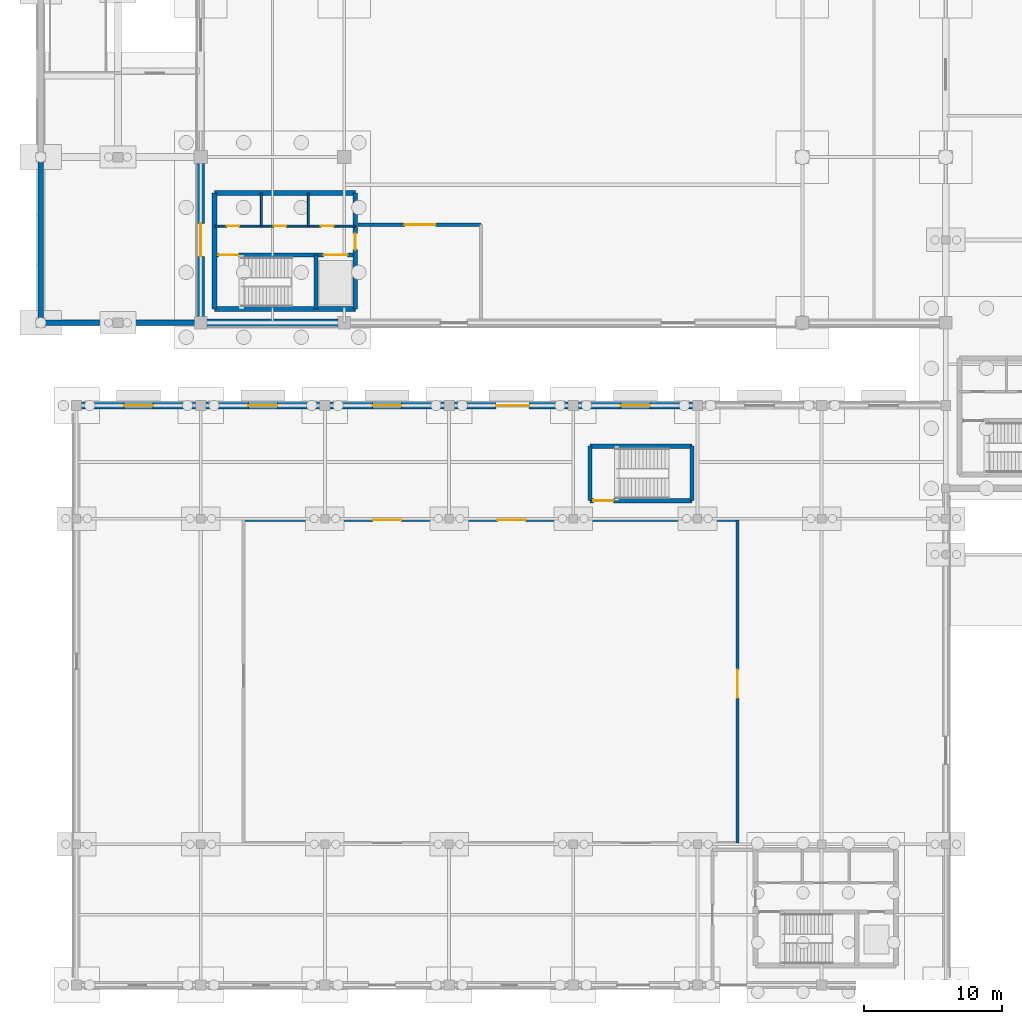
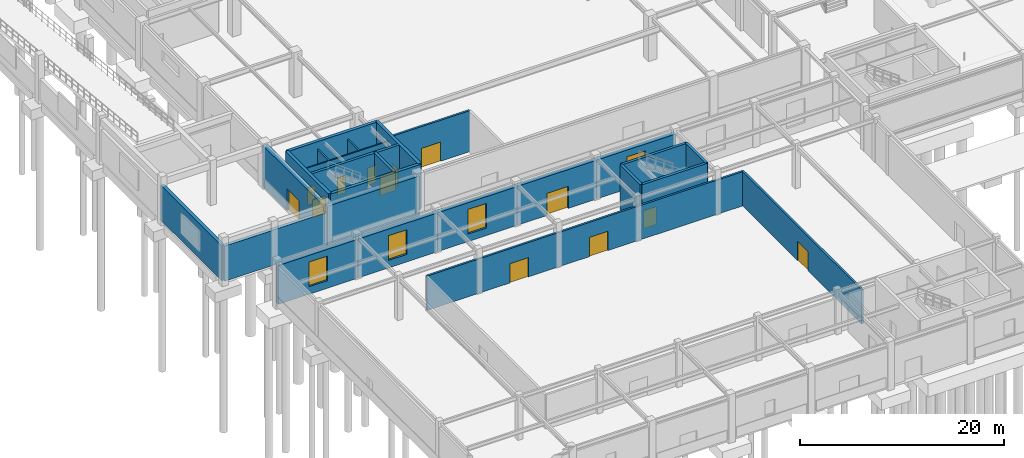
# One storey, part 24 of 53: 25 walls, 13 doors, 4 windows, 17 openings.
"""IFC4 building model written with IfcOpenShell, lengths in metres."""

from ifc_helpers import new_model, si_unit, derived_unit, direction, frame, frame_2d, origin, place, context, subcontext, project, spatial, rectangle, extrude, material, layer, layer_set, type_object, element, fill, save


model = new_model("IFC4")

# Units and contexts
model_context = context("Model", 3, precision=1e-05, world=origin(), true_north=direction((0.0, 1.0)))
body_context = subcontext(model_context, "Body", "Model", "MODEL_VIEW")
ifc_project = project(units=[si_unit("LENGTHUNIT", "METRE"), si_unit("AREAUNIT", "SQUARE_METRE"), si_unit("VOLUMEUNIT", "CUBIC_METRE"), si_unit("PLANEANGLEUNIT", "RADIAN"), si_unit("MASSUNIT", "GRAM", prefix="KILO"), derived_unit("THERMALTRANSMITTANCEUNIT", [(si_unit("POWERUNIT", "WATT"), 1), (si_unit("LENGTHUNIT", "METRE"), -2), (si_unit("THERMODYNAMICTEMPERATUREUNIT", "KELVIN"), -1)])], contexts=[model_context])

# Site, building, storey
site_placement = place(None, origin())
site = spatial("IfcSite", under=ifc_project, at=site_placement, CompositionType="ELEMENT")
building_placement = place(site_placement, origin())
building = spatial("IfcBuilding", under=site, at=building_placement, Name="Almenara Railside Exhibition Hall", CompositionType="ELEMENT")
storey_placement = place(building_placement, origin())
storey = spatial("IfcBuildingStorey", under=building, at=storey_placement, Name="L00", CompositionType="ELEMENT", Elevation=0.0)

# Walls
ifc_material_1 = material(Name="Concrete C35/45", Category="concrete")
ifc_layer_1 = layer(ifc_material_1, 0.35009765625, Name="Concrete C35/45")
ifc_layer_set_1 = layer_set([ifc_layer_1], Name="Concrete C35/45")
wall_type_1 = type_object("IfcWallType", Name="Core Coupled Shear Wall 350mm C35/45", PredefinedType="SHEAR", material=ifc_layer_set_1)
for number, where, z_axis, x_axis, name in (
    (1, (13.0, 49.0, 0.0), (0.0, 0.0, 1.0), (1.0, 0.0, 0.0), "Interior wall 0001"),
    (2, (23.199951171875, 57.39990234375, 0.0), (0.0, 0.0, 1.0), (-1.0, 0.0, 0.0), "Interior wall 0002"),
):
    element("IfcWall", number, at=place(storey_placement, frame(where, z_axis=z_axis, x_axis=x_axis)), inside=storey, type_object=wall_type_1, Name=name, PredefinedType="SHEAR", context=body_context, shape_type="SweptSolid", body=[
        extrude(rectangle(XDim=10.199951171875, YDim=0.35009765625, at=frame_2d((5.10009765625, 0.0))), origin(), (0.0, 0.0, 1.0), 5.39990234375),
    ])
wall_1_placement = place(storey_placement, frame((13.0, 57.39990234375, 0.0), z_axis=(0.0, 0.0, 1.0), x_axis=(0.0, -1.0, 0.0)))
element("IfcWall", 3, at=wall_1_placement, inside=storey, type_object=wall_type_1, Name="Interior wall 0003", PredefinedType="SHEAR", context=body_context, shape_type="SweptSolid", body=[
    extrude(rectangle(XDim=8.39990234375, YDim=0.35009765625, at=frame_2d((4.199951171875, 0.0))), origin(), (0.0, 0.0, 1.0), 5.39990234375),
])

# Wall, opening, door
wall_2_placement = place(storey_placement, frame((23.199951171875, 49.0, 0.0), z_axis=(0.0, 0.0, 1.0), x_axis=(0.0, 1.0, 0.0)))
wall_2 = element("IfcWall", 4, at=wall_2_placement, inside=storey, type_object=wall_type_1, Name="Interior wall 0004", PredefinedType="SHEAR", context=body_context, shape_type="SweptSolid", body=[
    extrude(rectangle(XDim=8.39990234375, YDim=0.35009765625, at=frame_2d((4.199951171875, 0.0))), origin(), (0.0, 0.0, 1.0), 5.39990234375),
])
opening_1_placement = place(wall_2_placement, frame((4.300048828125, 0.0, 0.0)))
opening_1 = element("IfcOpeningElement", 5, at=opening_1_placement, cuts=wall_2, Name="Opening FD-115", PredefinedType="OPENING", context=body_context, shape_type="SweptSolid", body=[
    extrude(rectangle(XDim=1.14990234375, YDim=2.14990234375, at=frame_2d((0.574951171875, 1.074951171875))), frame((0.0, 0.18505859375, 0.0), z_axis=(0.0, -1.0, 0.0), x_axis=(1.0, 0.0, 0.0)), (0.0, 0.0, 1.0), 0.3701171875),
])
ifc_material_2 = material(Name="Fire-rated iroko timber door", Category="wood")
door_type_1 = type_object("IfcDoorType", Name="Core Lobby Fire Door 1150x2150 EI60", OperationType="NOTDEFINED", PredefinedType="DOOR", material=ifc_material_2)
door_1_placement = place(opening_1_placement, frame((1.14990234375, 0.0, 0.0), z_axis=(0.0, 0.0, 1.0), x_axis=(-1.0, 0.0, 0.0)))
door_1 = element("IfcDoor", 6, at=door_1_placement, inside=storey, type_object=door_type_1, Name="Interior door FD-115-001", OperationType="SINGLE_SWING_LEFT", OverallHeight=2.14990234375, OverallWidth=1.14990234375, PredefinedType="DOOR", context=body_context, shape_type="SweptSolid", body=[
    extrude(rectangle(XDim=1.14990234375, YDim=2.14990234375, at=frame_2d((0.574951171875, 1.074951171875))), frame((0.0, 0.02490234375, 0.0), z_axis=(0.0, -1.0, 0.0), x_axis=(1.0, 0.0, 0.0)), (0.0, 0.0, 1.0), 0.050048828125),
])
fill(opening_1, door_1)

# Walls
ifc_material_3 = material(Name="Ochre-white lime-rendered masonry over Concrete C35/45", Category="masonry")
ifc_layer_2 = layer(ifc_material_3, 0.385009765625, Name="Ochre-white lime-rendered masonry over Concrete C35/45")
ifc_layer_set_2 = layer_set([ifc_layer_2], Name="Ochre-white lime-rendered masonry over Concrete C35/45")
wall_type_2 = type_object("IfcWallType", Name="Exterior Arcade Spandrel Wall 385mm C35/45", PredefinedType="SOLIDWALL", material=ifc_layer_set_2)
wall_3_placement = place(storey_placement, frame((0.39990234375, 60.0, 0.0), z_axis=(0.0, 0.0, 1.0), x_axis=(0.0, -1.0, 0.0)))
element("IfcWall", 7, at=wall_3_placement, inside=storey, type_object=wall_type_2, Name="Exterior wall 0301", PredefinedType="SOLIDWALL", context=body_context, shape_type="SweptSolid", body=[
    extrude(rectangle(XDim=12.0, YDim=0.385009765625, at=frame_2d((6.0, 0.0))), origin(), (0.0, 0.0, 1.0), 4.199951171875),
])
wall_4_placement = place(storey_placement, frame((0.39990234375, 48.0, 0.0), z_axis=(0.0, 0.0, 1.0), x_axis=(1.0, 0.0, 0.0)))
element("IfcWall", 8, at=wall_4_placement, inside=storey, type_object=wall_type_2, Name="Exterior wall 0307", PredefinedType="SOLIDWALL", context=body_context, shape_type="SweptSolid", body=[
    extrude(rectangle(XDim=11.60009765625, YDim=0.385009765625, at=frame_2d((5.800048828125, 0.0))), origin(), (0.0, 0.0, 1.0), 4.199951171875),
])

# Wall, opening, window
ifc_layer_3 = layer(ifc_material_3, 0.47998046875, Name="Ochre-white lime-rendered masonry over Concrete C35/45")
ifc_layer_set_3 = layer_set([ifc_layer_3], Name="Ochre-white lime-rendered masonry over Concrete C35/45")
wall_type_3 = type_object("IfcWallType", Name="Exterior Plenary Thermal Wall 480mm C35/45", PredefinedType="SOLIDWALL", material=ifc_layer_set_3)
wall_5_placement = place(storey_placement, frame((12.0, 42.0, 0.0), z_axis=(0.0, 0.0, 1.0), x_axis=(-1.0, 0.0, 0.0)))
wall_5 = element("IfcWall", 9, at=wall_5_placement, inside=storey, type_object=wall_type_3, Name="Exterior wall 0110", PredefinedType="SOLIDWALL", context=body_context, shape_type="SweptSolid", body=[
    extrude(rectangle(XDim=9.0, YDim=0.47998046875, at=frame_2d((4.5, 0.0))), origin(), (0.0, 0.0, 1.0), 4.64990234375),
])
opening_2_placement = place(wall_5_placement, frame((3.449951171875, 0.0, 0.89990234375)))
opening_2 = element("IfcOpeningElement", 10, at=opening_2_placement, cuts=wall_5, Name="Opening W-03", PredefinedType="OPENING", context=body_context, shape_type="SweptSolid", body=[
    extrude(rectangle(XDim=2.10009765625, YDim=2.949951171875, at=frame_2d((1.050048828125, 1.47509765625))), frame((0.0, 0.25, 0.0), z_axis=(0.0, -1.0, 0.0), x_axis=(1.0, 0.0, 0.0)), (0.0, 0.0, 1.0), 0.5),
])
ifc_material_4 = material(Name="Bronze-anodised aluminium and low-E double glazing", Category="aluminium")
window_type = type_object("IfcWindowType", Name="Arched Congress Window 2100x2950", PartitioningType="DOUBLE_PANEL_VERTICAL", PredefinedType="WINDOW", material=ifc_material_4)
window_1_placement = place(opening_2_placement, origin())
window_1 = element("IfcWindow", 11, at=window_1_placement, inside=storey, type_object=window_type, Name="Window 0020", OverallHeight=2.949951171875, OverallWidth=2.10009765625, PartitioningType="DOUBLE_PANEL_VERTICAL", PredefinedType="WINDOW", context=body_context, shape_type="SweptSolid", body=[
    extrude(rectangle(XDim=2.10009765625, YDim=2.949951171875, at=frame_2d((1.050048828125, 1.47509765625))), frame((0.0, 0.030029296875, 0.0), z_axis=(0.0, -1.0, 0.0), x_axis=(1.0, 0.0, 0.0)), (0.0, 0.0, 1.0), 0.06005859375),
])
fill(opening_2, window_1)

wall_6_placement = place(storey_placement, frame((21.0, 42.0, 0.0), z_axis=(0.0, 0.0, 1.0), x_axis=(-1.0, 0.0, 0.0)))
wall_6 = element("IfcWall", 12, at=wall_6_placement, inside=storey, type_object=wall_type_3, Name="Exterior wall 0114", PredefinedType="SOLIDWALL", context=body_context, shape_type="SweptSolid", body=[
    extrude(rectangle(XDim=9.0, YDim=0.47998046875, at=frame_2d((4.5, 0.0))), origin(), (0.0, 0.0, 1.0), 4.64990234375),
])
opening_3_placement = place(wall_6_placement, frame((3.449951171875, 0.0, 0.89990234375)))
opening_3 = element("IfcOpeningElement", 13, at=opening_3_placement, cuts=wall_6, Name="Opening W-03", PredefinedType="OPENING", context=body_context, shape_type="SweptSolid", body=[
    extrude(rectangle(XDim=2.10009765625, YDim=2.949951171875, at=frame_2d((1.050048828125, 1.47509765625))), frame((0.0, 0.25, 0.0), z_axis=(0.0, -1.0, 0.0), x_axis=(1.0, 0.0, 0.0)), (0.0, 0.0, 1.0), 0.5),
])
window_2_placement = place(opening_3_placement, origin())
window_2 = element("IfcWindow", 14, at=window_2_placement, inside=storey, type_object=window_type, Name="Window 0022", OverallHeight=2.949951171875, OverallWidth=2.10009765625, PartitioningType="DOUBLE_PANEL_VERTICAL", PredefinedType="WINDOW", context=body_context, shape_type="SweptSolid", body=[
    extrude(rectangle(XDim=2.10009765625, YDim=2.949951171875, at=frame_2d((1.050048828125, 1.47509765625))), frame((0.0, 0.030029296875, 0.0), z_axis=(0.0, -1.0, 0.0), x_axis=(1.0, 0.0, 0.0)), (0.0, 0.0, 1.0), 0.06005859375),
])
fill(opening_3, window_2)

wall_7_placement = place(storey_placement, frame((30.0, 42.0, 0.0), z_axis=(0.0, 0.0, 1.0), x_axis=(-1.0, 0.0, 0.0)))
wall_7 = element("IfcWall", 15, at=wall_7_placement, inside=storey, type_object=wall_type_3, Name="Exterior wall 0118", PredefinedType="SOLIDWALL", context=body_context, shape_type="SweptSolid", body=[
    extrude(rectangle(XDim=9.0, YDim=0.47998046875, at=frame_2d((4.5, 0.0))), origin(), (0.0, 0.0, 1.0), 4.64990234375),
])
opening_4_placement = place(wall_7_placement, frame((3.449951171875, 0.0, 0.89990234375)))
opening_4 = element("IfcOpeningElement", 16, at=opening_4_placement, cuts=wall_7, Name="Opening W-03", PredefinedType="OPENING", context=body_context, shape_type="SweptSolid", body=[
    extrude(rectangle(XDim=2.10009765625, YDim=2.949951171875, at=frame_2d((1.050048828125, 1.47509765625))), frame((0.0, 0.25, 0.0), z_axis=(0.0, -1.0, 0.0), x_axis=(1.0, 0.0, 0.0)), (0.0, 0.0, 1.0), 0.5),
])
window_3_placement = place(opening_4_placement, origin())
window_3 = element("IfcWindow", 17, at=window_3_placement, inside=storey, type_object=window_type, Name="Window 0023", OverallHeight=2.949951171875, OverallWidth=2.10009765625, PartitioningType="DOUBLE_PANEL_VERTICAL", PredefinedType="WINDOW", context=body_context, shape_type="SweptSolid", body=[
    extrude(rectangle(XDim=2.10009765625, YDim=2.949951171875, at=frame_2d((1.050048828125, 1.47509765625))), frame((0.0, 0.030029296875, 0.0), z_axis=(0.0, -1.0, 0.0), x_axis=(1.0, 0.0, 0.0)), (0.0, 0.0, 1.0), 0.06005859375),
])
fill(opening_4, window_3)

# Wall, opening, door
wall_8_placement = place(storey_placement, frame((39.0, 42.0, 0.0), z_axis=(0.0, 0.0, 1.0), x_axis=(-1.0, 0.0, 0.0)))
wall_8 = element("IfcWall", 18, at=wall_8_placement, inside=storey, type_object=wall_type_3, Name="Exterior wall 0122", PredefinedType="SOLIDWALL", context=body_context, shape_type="SweptSolid", body=[
    extrude(rectangle(XDim=9.0, YDim=0.47998046875, at=frame_2d((4.5, 0.0))), origin(), (0.0, 0.0, 1.0), 4.64990234375),
])
opening_5_placement = place(wall_8_placement, frame((3.199951171875, 0.0, 0.0)))
opening_5 = element("IfcOpeningElement", 19, at=opening_5_placement, cuts=wall_8, Name="Opening ED-17", PredefinedType="OPENING", context=body_context, shape_type="SweptSolid", body=[
    extrude(rectangle(XDim=2.39990234375, YDim=2.64990234375, at=frame_2d((1.199951171875, 1.324951171875))), frame((0.0, 0.25, 0.0), z_axis=(0.0, -1.0, 0.0), x_axis=(1.0, 0.0, 0.0)), (0.0, 0.0, 1.0), 0.5),
])
ifc_material_5 = material(Name="Bronze-anodised glazed entrance door")
door_type_2 = type_object("IfcDoorType", Name="Grand Civic Portal Double Exit Door 2400x2650", OperationType="NOTDEFINED", PredefinedType="DOOR", material=ifc_material_5)
door_2_placement = place(opening_5_placement, frame((2.39990234375, 0.0, 0.0), z_axis=(0.0, 0.0, 1.0), x_axis=(-1.0, 0.0, 0.0)))
door_2 = element("IfcDoor", 20, at=door_2_placement, inside=storey, type_object=door_type_2, Name="Exterior door ED-17", OperationType="DOUBLE_DOOR_SINGLE_SWING", OverallHeight=2.64990234375, OverallWidth=2.39990234375, PredefinedType="DOOR", context=body_context, shape_type="SweptSolid", body=[
    extrude(rectangle(XDim=2.39990234375, YDim=2.64990234375, at=frame_2d((1.199951171875, 1.324951171875))), frame((0.0, 0.02490234375, 0.0), z_axis=(0.0, -1.0, 0.0), x_axis=(1.0, 0.0, 0.0)), (0.0, 0.0, 1.0), 0.050048828125),
])
fill(opening_5, door_2)

# Wall, opening, window
wall_9_placement = place(storey_placement, frame((48.0, 42.0, 0.0), z_axis=(0.0, 0.0, 1.0), x_axis=(-1.0, 0.0, 0.0)))
wall_9 = element("IfcWall", 21, at=wall_9_placement, inside=storey, type_object=wall_type_3, Name="Exterior wall 0126", PredefinedType="SOLIDWALL", context=body_context, shape_type="SweptSolid", body=[
    extrude(rectangle(XDim=9.0, YDim=0.47998046875, at=frame_2d((4.5, 0.0))), origin(), (0.0, 0.0, 1.0), 4.64990234375),
])
opening_6_placement = place(wall_9_placement, frame((3.449951171875, 0.0, 0.89990234375)))
opening_6 = element("IfcOpeningElement", 22, at=opening_6_placement, cuts=wall_9, Name="Opening W-03", PredefinedType="OPENING", context=body_context, shape_type="SweptSolid", body=[
    extrude(rectangle(XDim=2.10009765625, YDim=2.949951171875, at=frame_2d((1.050048828125, 1.47509765625))), frame((0.0, 0.25, 0.0), z_axis=(0.0, -1.0, 0.0), x_axis=(1.0, 0.0, 0.0)), (0.0, 0.0, 1.0), 0.5),
])
window_4_placement = place(opening_6_placement, origin())
window_4 = element("IfcWindow", 23, at=window_4_placement, inside=storey, type_object=window_type, Name="Window 0025", OverallHeight=2.949951171875, OverallWidth=2.10009765625, PartitioningType="DOUBLE_PANEL_VERTICAL", PredefinedType="WINDOW", context=body_context, shape_type="SweptSolid", body=[
    extrude(rectangle(XDim=2.10009765625, YDim=2.949951171875, at=frame_2d((1.050048828125, 1.47509765625))), frame((0.0, 0.030029296875, 0.0), z_axis=(0.0, -1.0, 0.0), x_axis=(1.0, 0.0, 0.0)), (0.0, 0.0, 1.0), 0.06005859375),
])
fill(opening_6, window_4)

# Wall, opening, door
ifc_layer_4 = layer(ifc_material_3, 0.5400390625, Name="Ochre-white lime-rendered masonry over Concrete C35/45")
ifc_layer_set_4 = layer_set([ifc_layer_4], Name="Ochre-white lime-rendered masonry over Concrete C35/45")
wall_type_4 = type_object("IfcWallType", Name="Exterior West Hall Thermal Wall 540mm C35/45", PredefinedType="SOLIDWALL", material=ifc_layer_set_4)
wall_10_placement = place(storey_placement, frame((12.0, 60.0, 0.0), z_axis=(0.0, 0.0, 1.0), x_axis=(0.0, -1.0, 0.0)))
wall_10 = element("IfcWall", 24, at=wall_10_placement, inside=storey, type_object=wall_type_4, Name="Exterior wall 0023", PredefinedType="SOLIDWALL", context=body_context, shape_type="SweptSolid", body=[
    extrude(rectangle(XDim=12.0, YDim=0.5400390625, at=frame_2d((6.0, 0.0))), origin(), (0.0, 0.0, 1.0), 4.949951171875),
])
opening_7_placement = place(wall_10_placement, frame((4.800048828125, 0.0, 0.0)))
opening_7 = element("IfcOpeningElement", 25, at=opening_7_placement, cuts=wall_10, Name="Opening ED-01", PredefinedType="OPENING", context=body_context, shape_type="SweptSolid", body=[
    extrude(rectangle(XDim=2.39990234375, YDim=2.64990234375, at=frame_2d((1.199951171875, 1.324951171875))), frame((0.0, 0.280029296875, 0.0), z_axis=(0.0, -1.0, 0.0), x_axis=(1.0, 0.0, 0.0)), (0.0, 0.0, 1.0), 0.56005859375),
])
door_3_placement = place(opening_7_placement, frame((2.39990234375, 0.0, 0.0), z_axis=(0.0, 0.0, 1.0), x_axis=(-1.0, 0.0, 0.0)))
door_3 = element("IfcDoor", 26, at=door_3_placement, inside=storey, type_object=door_type_2, Name="Exterior door ED-01", OperationType="DOUBLE_DOOR_SINGLE_SWING", OverallHeight=2.64990234375, OverallWidth=2.39990234375, PredefinedType="DOOR", context=body_context, shape_type="SweptSolid", body=[
    extrude(rectangle(XDim=2.39990234375, YDim=2.64990234375, at=frame_2d((1.199951171875, 1.324951171875))), frame((0.0, 0.02490234375, 0.0), z_axis=(0.0, -1.0, 0.0), x_axis=(1.0, 0.0, 0.0)), (0.0, 0.0, 1.0), 0.050048828125),
])
fill(opening_7, door_3)

# Wall
wall_11_placement = place(storey_placement, frame((12.0, 48.0, 0.0), z_axis=(0.0, 0.0, 1.0), x_axis=(1.0, 0.0, 0.0)))
element("IfcWall", 27, at=wall_11_placement, inside=storey, type_object=wall_type_4, Name="Exterior wall 0055", PredefinedType="SOLIDWALL", context=body_context, shape_type="SweptSolid", body=[
    extrude(rectangle(XDim=10.39990234375, YDim=0.5400390625, at=frame_2d((5.199951171875, 0.0))), origin(), (0.0, 0.0, 1.0), 4.949951171875),
])

# Wall, opening, door
ifc_material_6 = material(Name="Insulated masonry over Concrete C35/45", Category="masonry")
ifc_layer_5 = layer(ifc_material_6, 0.219970703125, Name="Insulated masonry over Concrete C35/45")
ifc_layer_set_5 = layer_set([ifc_layer_5], Name="Insulated masonry over Concrete C35/45")
wall_type_5 = type_object("IfcWallType", Name="Occupancy Separating Fire Wall 220mm", PredefinedType="SOLIDWALL", material=ifc_layer_set_5)
wall_12_placement = place(storey_placement, frame((23.39990234375, 55.10009765625, 0.0), z_axis=(0.0, 0.0, 1.0), x_axis=(1.0, 0.0, 0.0)))
wall_12 = element("IfcWall", 28, at=wall_12_placement, inside=storey, type_object=wall_type_5, Name="Interior wall 0265", PredefinedType="SOLIDWALL", context=body_context, shape_type="SweptSolid", body=[
    extrude(rectangle(XDim=8.900146484375, YDim=0.219970703125, at=frame_2d((4.4501953125, 0.0))), origin(), (0.0, 0.0, 1.0), 4.89990234375),
])
opening_8_placement = place(wall_12_placement, frame((3.39990234375, 0.0, 0.0)))
opening_8 = element("IfcOpeningElement", 29, at=opening_8_placement, cuts=wall_12, Name="Opening FD-22", PredefinedType="OPENING", context=body_context, shape_type="SweptSolid", body=[
    extrude(rectangle(XDim=2.199951171875, YDim=2.300048828125, at=frame_2d((1.10009765625, 1.14990234375))), frame((0.0, 0.119873046875, 0.0), z_axis=(0.0, -1.0, 0.0), x_axis=(1.0, 0.0, 0.0)), (0.0, 0.0, 1.0), 0.239990234375),
])
ifc_material_7 = material(Name="Steel-framed fire-rated timber door", Category="steel")
door_type_3 = type_object("IfcDoorType", Name="Hall Escape Stair Double Door 2200x2300 EI60", OperationType="NOTDEFINED", PredefinedType="DOOR", material=ifc_material_7)
door_4_placement = place(opening_8_placement, frame((2.199951171875, 0.0, 0.0), z_axis=(0.0, 0.0, 1.0), x_axis=(-1.0, 0.0, 0.0)))
door_4 = element("IfcDoor", 30, at=door_4_placement, inside=storey, type_object=door_type_3, Name="Interior door FD-22-178", OperationType="DOUBLE_DOOR_SINGLE_SWING", OverallHeight=2.300048828125, OverallWidth=2.199951171875, PredefinedType="DOOR", context=body_context, shape_type="SweptSolid", body=[
    extrude(rectangle(XDim=2.199951171875, YDim=2.300048828125, at=frame_2d((1.10009765625, 1.14990234375))), frame((0.0, 0.02490234375, 0.0), z_axis=(0.0, -1.0, 0.0), x_axis=(1.0, 0.0, 0.0)), (0.0, 0.0, 1.0), 0.050048828125),
])
fill(opening_8, door_4)

# Wall, openings, doors
wall_13_placement = place(storey_placement, frame((50.89990234375, 33.699951171875, 0.0), z_axis=(0.0, 0.0, 1.0), x_axis=(-1.0, 0.0, 0.0)))
wall_13 = element("IfcWall", 31, at=wall_13_placement, inside=storey, type_object=wall_type_5, Name="Interior wall 0367", PredefinedType="SOLIDWALL", context=body_context, shape_type="SweptSolid", body=[
    extrude(rectangle(XDim=35.7998046875, YDim=0.219970703125, at=frame_2d((17.89990234375, 0.0))), origin(), (0.0, 0.0, 1.0), 4.10009765625),
])
opening_9_placement = place(wall_13_placement, frame((15.35009765625, 0.0, 0.0)))
opening_9 = element("IfcOpeningElement", 32, at=opening_9_placement, cuts=wall_13, Name="Opening ID-205", PredefinedType="OPENING", context=body_context, shape_type="SweptSolid", body=[
    extrude(rectangle(XDim=2.050048828125, YDim=2.300048828125, at=frame_2d((1.02490234375, 1.14990234375))), frame((0.0, 0.119873046875, 0.0), z_axis=(0.0, -1.0, 0.0), x_axis=(1.0, 0.0, 0.0)), (0.0, 0.0, 1.0), 0.239990234375),
])
opening_10_placement = place(wall_13_placement, frame((24.35009765625, 0.0, 0.0)))
opening_10 = element("IfcOpeningElement", 33, at=opening_10_placement, cuts=wall_13, Name="Opening ID-205", PredefinedType="OPENING", context=body_context, shape_type="SweptSolid", body=[
    extrude(rectangle(XDim=2.050048828125, YDim=2.300048828125, at=frame_2d((1.02490234375, 1.14990234375))), frame((0.0, 0.119873046875, 0.0), z_axis=(0.0, -1.0, 0.0), x_axis=(1.0, 0.0, 0.0)), (0.0, 0.0, 1.0), 0.239990234375),
])
ifc_material_8 = material(Name="Acoustic iroko hardwood double door", Category="wood")
door_type_4 = type_object("IfcDoorType", Name="Congress Auditorium Acoustic Double Door 2050x2300", OperationType="NOTDEFINED", PredefinedType="DOOR", material=ifc_material_8)
door_5_placement = place(opening_9_placement, origin())
door_5 = element("IfcDoor", 34, at=door_5_placement, inside=storey, type_object=door_type_4, Name="Interior door ID-205-223", OperationType="DOUBLE_DOOR_SINGLE_SWING", OverallHeight=2.300048828125, OverallWidth=2.050048828125, PredefinedType="DOOR", context=body_context, shape_type="SweptSolid", body=[
    extrude(rectangle(XDim=2.050048828125, YDim=2.300048828125, at=frame_2d((1.02490234375, 1.14990234375))), frame((0.0, 0.02490234375, 0.0), z_axis=(0.0, -1.0, 0.0), x_axis=(1.0, 0.0, 0.0)), (0.0, 0.0, 1.0), 0.050048828125),
])
fill(opening_9, door_5)
door_6_placement = place(opening_10_placement, origin())
door_6 = element("IfcDoor", 35, at=door_6_placement, inside=storey, type_object=door_type_4, Name="Interior door ID-205-224", OperationType="DOUBLE_DOOR_SINGLE_SWING", OverallHeight=2.300048828125, OverallWidth=2.050048828125, PredefinedType="DOOR", context=body_context, shape_type="SweptSolid", body=[
    extrude(rectangle(XDim=2.050048828125, YDim=2.300048828125, at=frame_2d((1.02490234375, 1.14990234375))), frame((0.0, 0.02490234375, 0.0), z_axis=(0.0, -1.0, 0.0), x_axis=(1.0, 0.0, 0.0)), (0.0, 0.0, 1.0), 0.050048828125),
])
fill(opening_10, door_6)

# Wall, opening, door
wall_14_placement = place(storey_placement, frame((50.89990234375, 10.300048828125, 0.0), z_axis=(0.0, 0.0, 1.0), x_axis=(0.0, 1.0, 0.0)))
wall_14 = element("IfcWall", 36, at=wall_14_placement, inside=storey, type_object=wall_type_5, Name="Interior wall 0368", PredefinedType="SOLIDWALL", context=body_context, shape_type="SweptSolid", body=[
    extrude(rectangle(XDim=23.39990234375, YDim=0.219970703125, at=frame_2d((11.699951171875, 0.0))), origin(), (0.0, 0.0, 1.0), 4.10009765625),
])
opening_11_placement = place(wall_14_placement, frame((10.5, 0.0, 0.0)))
opening_11 = element("IfcOpeningElement", 37, at=opening_11_placement, cuts=wall_14, Name="Opening ID-205", PredefinedType="OPENING", context=body_context, shape_type="SweptSolid", body=[
    extrude(rectangle(XDim=2.050048828125, YDim=2.300048828125, at=frame_2d((1.02490234375, 1.14990234375))), frame((0.0, 0.119873046875, 0.0), z_axis=(0.0, -1.0, 0.0), x_axis=(1.0, 0.0, 0.0)), (0.0, 0.0, 1.0), 0.239990234375),
])
door_7_placement = place(opening_11_placement, origin())
door_7 = element("IfcDoor", 38, at=door_7_placement, inside=storey, type_object=door_type_4, Name="Interior door ID-205-225", OperationType="DOUBLE_DOOR_SINGLE_SWING", OverallHeight=2.300048828125, OverallWidth=2.050048828125, PredefinedType="DOOR", context=body_context, shape_type="SweptSolid", body=[
    extrude(rectangle(XDim=2.050048828125, YDim=2.300048828125, at=frame_2d((1.02490234375, 1.14990234375))), frame((0.0, 0.02490234375, 0.0), z_axis=(0.0, -1.0, 0.0), x_axis=(1.0, 0.0, 0.0)), (0.0, 0.0, 1.0), 0.050048828125),
])
fill(opening_11, door_7)

# Wall, openings, doors
ifc_material_9 = material(Name="Moisture-resistant tiled masonry partition", Category="masonry")
ifc_layer_6 = layer(ifc_material_9, 0.139892578125, Name="Moisture-resistant tiled masonry partition")
ifc_layer_set_6 = layer_set([ifc_layer_6], Name="Moisture-resistant tiled masonry partition")
wall_type_6 = type_object("IfcWallType", Name="Sanitary Wet-Wall Partition 140mm", PredefinedType="PARTITIONING", material=ifc_layer_set_6)
wall_15_placement = place(storey_placement, frame((13.0, 55.0, 0.0), z_axis=(0.0, 0.0, 1.0), x_axis=(1.0, 0.0, 0.0)))
wall_15 = element("IfcWall", 39, at=wall_15_placement, inside=storey, type_object=wall_type_6, Name="Interior wall 0007", PredefinedType="PARTITIONING", context=body_context, shape_type="SweptSolid", body=[
    extrude(rectangle(XDim=10.199951171875, YDim=0.139892578125, at=frame_2d((5.10009765625, 0.0))), origin(), (0.0, 0.0, 1.0), 4.5),
])
opening_12_placement = place(wall_15_placement, frame((0.89990234375, 0.0, 0.0)))
opening_12 = element("IfcOpeningElement", 40, at=opening_12_placement, cuts=wall_15, Name="Opening ID-09", PredefinedType="OPENING", context=body_context, shape_type="SweptSolid", body=[
    extrude(rectangle(XDim=0.89990234375, YDim=2.10009765625, at=frame_2d((0.449951171875, 1.050048828125))), frame((0.0, 0.079833984375, 0.0), z_axis=(0.0, -1.0, 0.0), x_axis=(1.0, 0.0, 0.0)), (0.0, 0.0, 1.0), 0.159912109375),
])
opening_13_placement = place(wall_15_placement, frame((4.300048828125, 0.0, 0.0)))
opening_13 = element("IfcOpeningElement", 41, at=opening_13_placement, cuts=wall_15, Name="Opening ID-09", PredefinedType="OPENING", context=body_context, shape_type="SweptSolid", body=[
    extrude(rectangle(XDim=0.89990234375, YDim=2.10009765625, at=frame_2d((0.449951171875, 1.050048828125))), frame((0.0, 0.079833984375, 0.0), z_axis=(0.0, -1.0, 0.0), x_axis=(1.0, 0.0, 0.0)), (0.0, 0.0, 1.0), 0.159912109375),
])
opening_14_placement = place(wall_15_placement, frame((7.699951171875, 0.0, 0.0)))
opening_14 = element("IfcOpeningElement", 42, at=opening_14_placement, cuts=wall_15, Name="Opening ID-095", PredefinedType="OPENING", context=body_context, shape_type="SweptSolid", body=[
    extrude(rectangle(XDim=0.949951171875, YDim=2.10009765625, at=frame_2d((0.47509765625, 1.050048828125))), frame((0.0, 0.079833984375, 0.0), z_axis=(0.0, -1.0, 0.0), x_axis=(1.0, 0.0, 0.0)), (0.0, 0.0, 1.0), 0.159912109375),
])
ifc_material_10 = material(Name="Moisture-resistant hardwood door", Category="wood")
door_type_5 = type_object("IfcDoorType", Name="Accessible Toilet Door 950x2100", OperationType="NOTDEFINED", PredefinedType="DOOR", material=ifc_material_10)
door_8_placement = place(opening_14_placement, origin())
door_8 = element("IfcDoor", 43, at=door_8_placement, inside=storey, type_object=door_type_5, Name="Interior door ID-095-006", OperationType="SINGLE_SWING_RIGHT", OverallHeight=2.10009765625, OverallWidth=0.949951171875, PredefinedType="DOOR", context=body_context, shape_type="SweptSolid", body=[
    extrude(rectangle(XDim=0.949951171875, YDim=2.10009765625, at=frame_2d((0.47509765625, 1.050048828125))), frame((0.0, 0.02490234375, 0.0), z_axis=(0.0, -1.0, 0.0), x_axis=(1.0, 0.0, 0.0)), (0.0, 0.0, 1.0), 0.050048828125),
])
fill(opening_14, door_8)
door_type_6 = type_object("IfcDoorType", Name="Sanitary Lobby Single Door 900x2100", OperationType="NOTDEFINED", PredefinedType="DOOR", material=ifc_material_10)
door_9_placement = place(opening_12_placement, origin())
door_9 = element("IfcDoor", 44, at=door_9_placement, inside=storey, type_object=door_type_6, Name="Interior door ID-09-004", OperationType="SINGLE_SWING_RIGHT", OverallHeight=2.10009765625, OverallWidth=0.89990234375, PredefinedType="DOOR", context=body_context, shape_type="SweptSolid", body=[
    extrude(rectangle(XDim=0.89990234375, YDim=2.10009765625, at=frame_2d((0.449951171875, 1.050048828125))), frame((0.0, 0.02490234375, 0.0), z_axis=(0.0, -1.0, 0.0), x_axis=(1.0, 0.0, 0.0)), (0.0, 0.0, 1.0), 0.050048828125),
])
fill(opening_12, door_9)
door_10_placement = place(opening_13_placement, origin())
door_10 = element("IfcDoor", 45, at=door_10_placement, inside=storey, type_object=door_type_6, Name="Interior door ID-09-005", OperationType="SINGLE_SWING_LEFT", OverallHeight=2.10009765625, OverallWidth=0.89990234375, PredefinedType="DOOR", context=body_context, shape_type="SweptSolid", body=[
    extrude(rectangle(XDim=0.89990234375, YDim=2.10009765625, at=frame_2d((0.449951171875, 1.050048828125))), frame((0.0, 0.02490234375, 0.0), z_axis=(0.0, -1.0, 0.0), x_axis=(1.0, 0.0, 0.0)), (0.0, 0.0, 1.0), 0.050048828125),
])
fill(opening_13, door_10)

# Walls
for number, where, z_axis, x_axis, name in (
    (46, (16.39990234375, 55.0, 0.0), (0.0, 0.0, 1.0), (0.0, 1.0, 0.0), "Interior wall 0008"),
    (47, (19.800048828125, 55.0, 0.0), (0.0, 0.0, 1.0), (0.0, 1.0, 0.0), "Interior wall 0009"),
):
    element("IfcWall", number, at=place(storey_placement, frame(where, z_axis=z_axis, x_axis=x_axis)), inside=storey, type_object=wall_type_6, Name=name, PredefinedType="PARTITIONING", context=body_context, shape_type="SweptSolid", body=[
        extrude(rectangle(XDim=2.39990234375, YDim=0.139892578125, at=frame_2d((1.199951171875, 0.0))), origin(), (0.0, 0.0, 1.0), 4.5),
    ])

# Wall, openings, doors
ifc_layer_7 = layer(ifc_material_1, 0.300048828125, Name="Concrete C35/45")
ifc_layer_set_7 = layer_set([ifc_layer_7], Name="Concrete C35/45")
wall_type_7 = type_object("IfcWallType", Name="Stair and Lift Shaft Wall 300mm C35/45", PredefinedType="SHEAR", material=ifc_layer_set_7)
wall_16_placement = place(storey_placement, frame((13.0, 52.89990234375, 0.0), z_axis=(0.0, 0.0, 1.0), x_axis=(1.0, 0.0, 0.0)))
wall_16 = element("IfcWall", 48, at=wall_16_placement, inside=storey, type_object=wall_type_7, Name="Interior wall 0005", PredefinedType="SHEAR", context=body_context, shape_type="SweptSolid", body=[
    extrude(rectangle(XDim=10.199951171875, YDim=0.300048828125, at=frame_2d((5.10009765625, 0.0))), origin(), (0.0, 0.0, 1.0), 5.39990234375),
])
opening_15_placement = place(wall_16_placement, frame((0.280029296875, 0.0, 0.0)))
opening_15 = element("IfcOpeningElement", 49, at=opening_15_placement, cuts=wall_16, Name="Opening FD-145", PredefinedType="OPENING", context=body_context, shape_type="SweptSolid", body=[
    extrude(rectangle(XDim=1.449951171875, YDim=2.14990234375, at=frame_2d((0.72509765625, 1.074951171875))), frame((0.0, 0.159912109375, 0.0), z_axis=(0.0, -1.0, 0.0), x_axis=(1.0, 0.0, 0.0)), (0.0, 0.0, 1.0), 0.320068359375),
])
opening_16_placement = place(wall_16_placement, frame((7.89990234375, 0.0, 0.0)))
opening_16 = element("IfcOpeningElement", 50, at=opening_16_placement, cuts=wall_16, Name="Opening LD-175-C1", PredefinedType="OPENING", context=body_context, shape_type="SweptSolid", body=[
    extrude(rectangle(XDim=1.75, YDim=2.300048828125, at=frame_2d((0.875, 1.14990234375))), frame((0.0, 0.159912109375, 0.0), z_axis=(0.0, -1.0, 0.0), x_axis=(1.0, 0.0, 0.0)), (0.0, 0.0, 1.0), 0.320068359375),
])
door_type_7 = type_object("IfcDoorType", Name="Fire Escape Stair Door 1450x2150 EI60", OperationType="NOTDEFINED", PredefinedType="DOOR", material=ifc_material_7)
door_11_placement = place(opening_15_placement, origin())
door_11 = element("IfcDoor", 51, at=door_11_placement, inside=storey, type_object=door_type_7, Name="Interior door FD-145-002", OperationType="DOUBLE_DOOR_SINGLE_SWING", OverallHeight=2.14990234375, OverallWidth=1.449951171875, PredefinedType="DOOR", context=body_context, shape_type="SweptSolid", body=[
    extrude(rectangle(XDim=1.449951171875, YDim=2.14990234375, at=frame_2d((0.72509765625, 1.074951171875))), frame((0.0, 0.02490234375, 0.0), z_axis=(0.0, -1.0, 0.0), x_axis=(1.0, 0.0, 0.0)), (0.0, 0.0, 1.0), 0.050048828125),
])
fill(opening_15, door_11)
ifc_material_11 = material(Name="Heavy-duty stainless steel sliding landing door", Category="steel")
door_type_8 = type_object("IfcDoorType", Name="Goods Lift Sliding Landing Door 1750x2300", OperationType="DOUBLE_DOOR_SLIDING", PredefinedType="DOOR", material=ifc_material_11)
door_12_placement = place(opening_16_placement, origin())
door_12 = element("IfcDoor", 52, at=door_12_placement, inside=storey, type_object=door_type_8, Name="Interior door LD-175-C1-003", OperationType="DOUBLE_DOOR_SLIDING", OverallHeight=2.300048828125, OverallWidth=1.75, PredefinedType="DOOR", context=body_context, shape_type="SweptSolid", body=[
    extrude(rectangle(XDim=1.75, YDim=2.300048828125, at=frame_2d((0.875, 1.14990234375))), frame((0.0, 0.02490234375, 0.0), z_axis=(0.0, -1.0, 0.0), x_axis=(1.0, 0.0, 0.0)), (0.0, 0.0, 1.0), 0.050048828125),
])
fill(opening_16, door_12)

# Wall
wall_17_placement = place(storey_placement, frame((20.35009765625, 49.0, 0.0), z_axis=(0.0, 0.0, 1.0), x_axis=(0.0, 1.0, 0.0)))
element("IfcWall", 53, at=wall_17_placement, inside=storey, type_object=wall_type_7, Name="Interior wall 0006", PredefinedType="SHEAR", context=body_context, shape_type="SweptSolid", body=[
    extrude(rectangle(XDim=3.89990234375, YDim=0.300048828125, at=frame_2d((1.949951171875, 0.0))), origin(), (0.0, 0.0, 1.0), 5.39990234375),
])

# Wall, opening, door
wall_18_placement = place(storey_placement, frame((40.199951171875, 35.10009765625, 0.0), z_axis=(0.0, 0.0, 1.0), x_axis=(1.0, 0.0, 0.0)))
wall_18 = element("IfcWall", 54, at=wall_18_placement, inside=storey, type_object=wall_type_7, Name="Interior wall 0332", PredefinedType="SHEAR", context=body_context, shape_type="SweptSolid", body=[
    extrude(rectangle(XDim=7.400146484375, YDim=0.300048828125, at=frame_2d((3.7001953125, 0.0))), origin(), (0.0, 0.0, 1.0), 5.39990234375),
])
opening_17_placement = place(wall_18_placement, frame((0.25, 0.0, 0.0)))
opening_17 = element("IfcOpeningElement", 55, at=opening_17_placement, cuts=wall_18, Name="Opening FD-145", PredefinedType="OPENING", context=body_context, shape_type="SweptSolid", body=[
    extrude(rectangle(XDim=1.449951171875, YDim=2.14990234375, at=frame_2d((0.72509765625, 1.074951171875))), frame((0.0, 0.159912109375, 0.0), z_axis=(0.0, -1.0, 0.0), x_axis=(1.0, 0.0, 0.0)), (0.0, 0.0, 1.0), 0.320068359375),
])
door_13_placement = place(opening_17_placement, origin())
door_13 = element("IfcDoor", 56, at=door_13_placement, inside=storey, type_object=door_type_7, Name="Interior door FD-145-198", OperationType="DOUBLE_DOOR_SINGLE_SWING", OverallHeight=2.14990234375, OverallWidth=1.449951171875, PredefinedType="DOOR", context=body_context, shape_type="SweptSolid", body=[
    extrude(rectangle(XDim=1.449951171875, YDim=2.14990234375, at=frame_2d((0.72509765625, 1.074951171875))), frame((0.0, 0.02490234375, 0.0), z_axis=(0.0, -1.0, 0.0), x_axis=(1.0, 0.0, 0.0)), (0.0, 0.0, 1.0), 0.050048828125),
])
fill(opening_17, door_13)

# Walls
wall_19_placement = place(storey_placement, frame((47.60009765625, 39.050048828125, 0.0), z_axis=(0.0, 0.0, 1.0), x_axis=(-1.0, 0.0, 0.0)))
element("IfcWall", 57, at=wall_19_placement, inside=storey, type_object=wall_type_7, Name="Interior wall 0333", PredefinedType="SHEAR", context=body_context, shape_type="SweptSolid", body=[
    extrude(rectangle(XDim=7.400146484375, YDim=0.300048828125, at=frame_2d((3.7001953125, 0.0))), origin(), (0.0, 0.0, 1.0), 5.39990234375),
])
for number, where, z_axis, x_axis, name in (
    (58, (40.199951171875, 39.050048828125, 0.0), (0.0, 0.0, 1.0), (0.0, -1.0, 0.0), "Interior wall 0334"),
    (59, (47.60009765625, 35.10009765625, 0.0), (0.0, 0.0, 1.0), (0.0, 1.0, 0.0), "Interior wall 0335"),
):
    element("IfcWall", number, at=place(storey_placement, frame(where, z_axis=z_axis, x_axis=x_axis)), inside=storey, type_object=wall_type_7, Name=name, PredefinedType="SHEAR", context=body_context, shape_type="SweptSolid", body=[
        extrude(rectangle(XDim=3.949951171875, YDim=0.300048828125, at=frame_2d((1.97509765625, 0.0))), origin(), (0.0, 0.0, 1.0), 5.39990234375),
    ])

save(model, "model.ifc")
